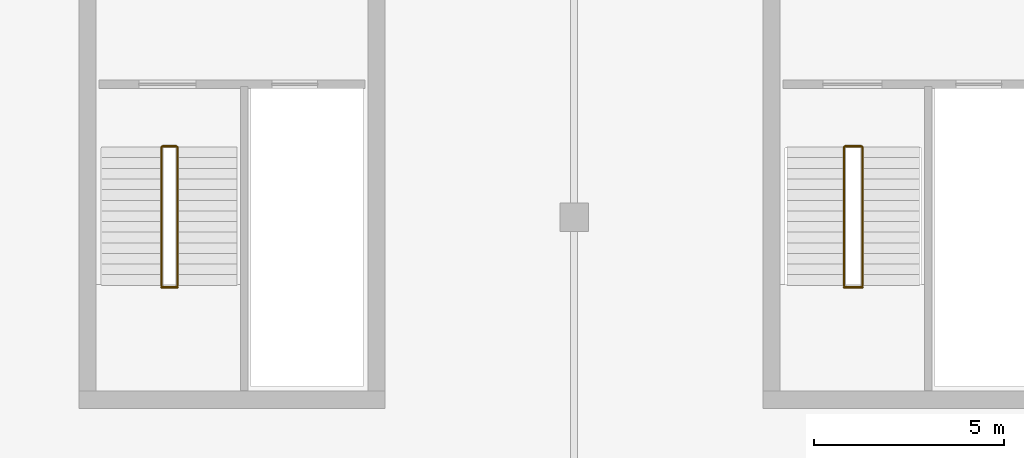
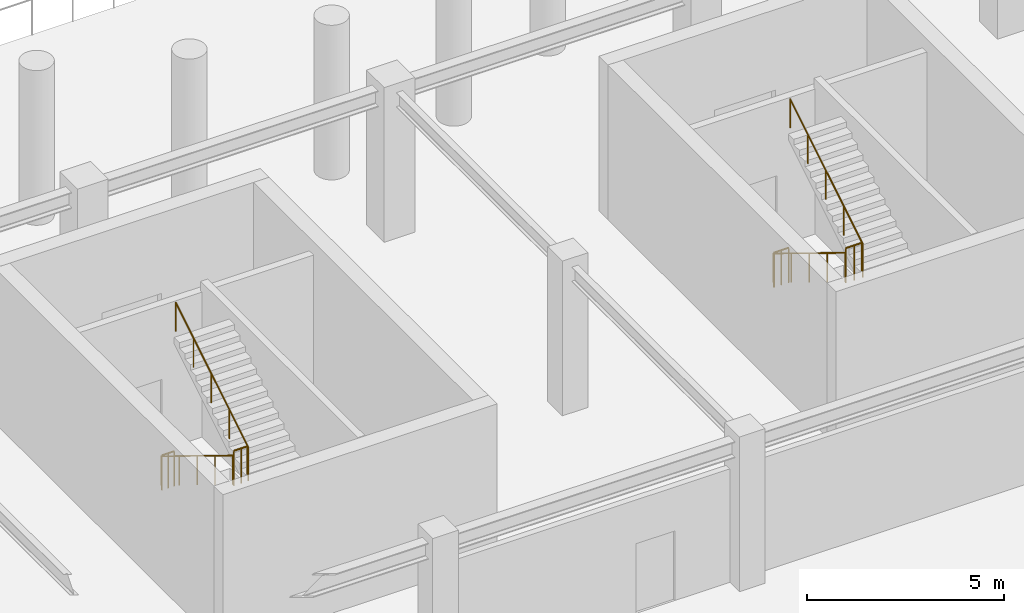
# One storey, part 73 of 89: 8 railings.
"""IFC4 building model written with IfcOpenShell, lengths in metres."""

from ifc_helpers import new_model, si_unit, direction, frame, origin, origin_2d, place, context, subcontext, project, spatial, circle, extrude, material, type_object, element, save


model = new_model("IFC4")

# Units and contexts
model_context = context("Model", 3, precision=1e-05, world=origin(), true_north=direction((0.0, 1.0)))
body_context = subcontext(model_context, "Body", "Model", "MODEL_VIEW")
ifc_project = project(units=[si_unit("LENGTHUNIT", "METRE"), si_unit("AREAUNIT", "SQUARE_METRE"), si_unit("VOLUMEUNIT", "CUBIC_METRE"), si_unit("PLANEANGLEUNIT", "RADIAN"), si_unit("MASSUNIT", "GRAM", prefix="KILO")], contexts=[model_context])

# Site, building, storey
site_placement = place(None, origin())
site = spatial("IfcSite", under=ifc_project, at=site_placement, CompositionType="ELEMENT")
building_placement = place(site_placement, origin())
building = spatial("IfcBuilding", under=site, at=building_placement, Name="Dornveld Trade and Exhibition Forum", CompositionType="ELEMENT")
storey_placement = place(building_placement, frame((0.0, 0.0, 12.0)))
storey = spatial("IfcBuildingStorey", under=building, at=storey_placement, Name="L02", CompositionType="ELEMENT", Elevation=12.0)

# Railings
ifc_material_1 = material(Name="Brushed stainless steel handrail", Category="steel")
railing_type_1 = type_object("IfcRailingType", Name="RL-HAND-920", PredefinedType="HANDRAIL", material=ifc_material_1)
railing_1_placement = place(storey_placement, frame((106.139892578125, 55.85009765625, 0.17138671875)))
element("IfcRailing", 1, at=railing_1_placement, inside=storey, type_object=railing_type_1, Name="ST-06-L02 flight 1 handrail", PredefinedType="HANDRAIL", context=body_context, shape_type="SweptSolid", body=[
    extrude(circle(Radius=0.02099609375, at=origin_2d()), frame((0.0, 0.0, 0.89892578125), z_axis=(0.0, -0.852865859571, 0.52213008492), x_axis=(1.0, 0.0, 0.0)), (0.0, 0.0, 1.0), 4.26806640625),
    extrude(circle(Radius=0.01806640625, at=origin_2d()), origin(), (0.0, 0.0, 1.0), 0.8779296875),
    extrude(circle(Radius=0.01806640625, at=origin_2d()), frame((0.0, -0.91015625, 0.55712890625)), (0.0, 0.0, 1.0), 0.8779296875),
    extrude(circle(Radius=0.01806640625, at=origin_2d()), frame((0.0, -1.820068359375, 1.1142578125)), (0.0, 0.0, 1.0), 0.8779296875),
    extrude(circle(Radius=0.01806640625, at=origin_2d()), frame((0.0, -2.72998046875, 1.67138671875)), (0.0, 0.0, 1.0), 0.8779296875),
    extrude(circle(Radius=0.01806640625, at=origin_2d()), frame((0.0, -3.64013671875, 2.228515625)), (0.0, 0.0, 1.0), 0.8779296875),
])
railing_2_placement = place(storey_placement, frame((106.56005859375, 52.2099609375, 2.5712890625)))
element("IfcRailing", 2, at=railing_2_placement, inside=storey, type_object=railing_type_1, Name="ST-06-L02 flight 2 handrail", PredefinedType="HANDRAIL", context=body_context, shape_type="SweptSolid", body=[
    extrude(circle(Radius=0.02099609375, at=origin_2d()), frame((0.0, 0.0, 0.89892578125), z_axis=(0.0, 0.852840387347, 0.522171689878), x_axis=(-1.0, 0.0, 0.0)), (0.0, 0.0, 1.0), 4.268310546875),
    extrude(circle(Radius=0.01806640625, at=origin_2d()), origin(), (0.0, 0.0, 1.0), 0.8779296875),
    extrude(circle(Radius=0.01806640625, at=origin_2d()), frame((0.0, 0.91015625, 0.55712890625)), (0.0, 0.0, 1.0), 0.8779296875),
    extrude(circle(Radius=0.01806640625, at=origin_2d()), frame((0.0, 1.820068359375, 1.1142578125)), (0.0, 0.0, 1.0), 0.8779296875),
    extrude(circle(Radius=0.01806640625, at=origin_2d()), frame((0.0, 2.72998046875, 1.671630859375)), (0.0, 0.0, 1.0), 0.8779296875),
    extrude(circle(Radius=0.01806640625, at=origin_2d()), frame((0.0, 3.64013671875, 2.228759765625)), (0.0, 0.0, 1.0), 0.8779296875),
])
railing_3_placement = place(storey_placement, frame((124.10498046875, 55.85009765625, 0.17138671875)))
element("IfcRailing", 3, at=railing_3_placement, inside=storey, type_object=railing_type_1, Name="ST-07-L02 flight 1 handrail", PredefinedType="HANDRAIL", context=body_context, shape_type="SweptSolid", body=[
    extrude(circle(Radius=0.02099609375, at=origin_2d()), frame((0.0, 0.0, 0.89892578125), z_axis=(0.0, -0.852865859571, 0.52213008492), x_axis=(1.0, 0.0, 0.0)), (0.0, 0.0, 1.0), 4.26806640625),
    extrude(circle(Radius=0.01806640625, at=origin_2d()), origin(), (0.0, 0.0, 1.0), 0.8779296875),
    extrude(circle(Radius=0.01806640625, at=origin_2d()), frame((0.0, -0.91015625, 0.55712890625)), (0.0, 0.0, 1.0), 0.8779296875),
    extrude(circle(Radius=0.01806640625, at=origin_2d()), frame((0.0, -1.820068359375, 1.1142578125)), (0.0, 0.0, 1.0), 0.8779296875),
    extrude(circle(Radius=0.01806640625, at=origin_2d()), frame((0.0, -2.72998046875, 1.67138671875)), (0.0, 0.0, 1.0), 0.8779296875),
    extrude(circle(Radius=0.01806640625, at=origin_2d()), frame((0.0, -3.64013671875, 2.228515625)), (0.0, 0.0, 1.0), 0.8779296875),
])
railing_4_placement = place(storey_placement, frame((124.594970703125, 52.2099609375, 2.5712890625)))
element("IfcRailing", 4, at=railing_4_placement, inside=storey, type_object=railing_type_1, Name="ST-07-L02 flight 2 handrail", PredefinedType="HANDRAIL", context=body_context, shape_type="SweptSolid", body=[
    extrude(circle(Radius=0.02099609375, at=origin_2d()), frame((0.0, 0.0, 0.89892578125), z_axis=(0.0, 0.852840387347, 0.522171689878), x_axis=(-1.0, 0.0, 0.0)), (0.0, 0.0, 1.0), 4.268310546875),
    extrude(circle(Radius=0.01806640625, at=origin_2d()), origin(), (0.0, 0.0, 1.0), 0.8779296875),
    extrude(circle(Radius=0.01806640625, at=origin_2d()), frame((0.0, 0.91015625, 0.55712890625)), (0.0, 0.0, 1.0), 0.8779296875),
    extrude(circle(Radius=0.01806640625, at=origin_2d()), frame((0.0, 1.820068359375, 1.1142578125)), (0.0, 0.0, 1.0), 0.8779296875),
    extrude(circle(Radius=0.01806640625, at=origin_2d()), frame((0.0, 2.72998046875, 1.671630859375)), (0.0, 0.0, 1.0), 0.8779296875),
    extrude(circle(Radius=0.01806640625, at=origin_2d()), frame((0.0, 3.64013671875, 2.228759765625)), (0.0, 0.0, 1.0), 0.8779296875),
])
ifc_material_2 = material(Name="Painted steel S355J2 stair-well guard", Category="steel")
railing_type_2 = type_object("IfcRailingType", Name="RL-WELL-110", PredefinedType="GUARDRAIL", material=ifc_material_2)
railing_5_placement = place(storey_placement, frame((106.139892578125, 52.159912109375, 2.39990234375)))
element("IfcRailing", 5, at=railing_5_placement, inside=storey, type_object=railing_type_2, Name="ST-06-L02 half-landing well guard", PredefinedType="GUARDRAIL", context=body_context, shape_type="SweptSolid", body=[
    extrude(circle(Radius=0.02392578125, at=origin_2d()), frame((0.0, 0.0, 1.076171875), z_axis=(1.0, 0.0, 0.0), x_axis=(0.0, 1.0, 0.0)), (0.0, 0.0, 1.0), 0.420166015625),
    extrude(circle(Radius=0.02001953125, at=origin_2d()), origin(), (0.0, 0.0, 1.0), 1.052001953125),
    extrude(circle(Radius=0.02001953125, at=origin_2d()), frame((0.2099609375, 0.0, 0.0)), (0.0, 0.0, 1.0), 1.052001953125),
    extrude(circle(Radius=0.02001953125, at=origin_2d()), frame((0.420166015625, 0.0, 0.0)), (0.0, 0.0, 1.0), 1.052001953125),
])
railing_6_placement = place(storey_placement, frame((106.169921875, 55.8701171875, 0.0)))
element("IfcRailing", 6, at=railing_6_placement, inside=storey, type_object=railing_type_2, Name="CORE-06 L02 stair-slot floor guard", PredefinedType="GUARDRAIL", context=body_context, shape_type="SweptSolid", body=[
    extrude(circle(Radius=0.02392578125, at=origin_2d()), frame((0.0, 0.0, 1.076171875), z_axis=(1.0, 0.0, 0.0), x_axis=(0.0, 1.0, 0.0)), (0.0, 0.0, 1.0), 0.360107421875),
    extrude(circle(Radius=0.02001953125, at=origin_2d()), origin(), (0.0, 0.0, 1.0), 1.052001953125),
    extrude(circle(Radius=0.02001953125, at=origin_2d()), frame((0.18017578125, 0.0, 0.0)), (0.0, 0.0, 1.0), 1.052001953125),
    extrude(circle(Radius=0.02001953125, at=origin_2d()), frame((0.360107421875, 0.0, 0.0)), (0.0, 0.0, 1.0), 1.052001953125),
])
railing_7_placement = place(storey_placement, frame((124.10498046875, 52.159912109375, 2.39990234375)))
element("IfcRailing", 7, at=railing_7_placement, inside=storey, type_object=railing_type_2, Name="ST-07-L02 half-landing well guard", PredefinedType="GUARDRAIL", context=body_context, shape_type="SweptSolid", body=[
    extrude(circle(Radius=0.02392578125, at=origin_2d()), frame((0.0, 0.0, 1.076171875), z_axis=(1.0, 0.0, 0.0), x_axis=(0.0, 1.0, 0.0)), (0.0, 0.0, 1.0), 0.489990234375),
    extrude(circle(Radius=0.02001953125, at=origin_2d()), origin(), (0.0, 0.0, 1.0), 1.052001953125),
    extrude(circle(Radius=0.02001953125, at=origin_2d()), frame((0.2451171875, 0.0, 0.0)), (0.0, 0.0, 1.0), 1.052001953125),
    extrude(circle(Radius=0.02001953125, at=origin_2d()), frame((0.489990234375, 0.0, 0.0)), (0.0, 0.0, 1.0), 1.052001953125),
])
railing_8_placement = place(storey_placement, frame((124.135009765625, 55.8701171875, 0.0)))
element("IfcRailing", 8, at=railing_8_placement, inside=storey, type_object=railing_type_2, Name="CORE-07 L02 stair-slot floor guard", PredefinedType="GUARDRAIL", context=body_context, shape_type="SweptSolid", body=[
    extrude(circle(Radius=0.02392578125, at=origin_2d()), frame((0.0, 0.0, 1.076171875), z_axis=(1.0, 0.0, 0.0), x_axis=(0.0, 1.0, 0.0)), (0.0, 0.0, 1.0), 0.429931640625),
    extrude(circle(Radius=0.02001953125, at=origin_2d()), origin(), (0.0, 0.0, 1.0), 1.052001953125),
    extrude(circle(Radius=0.02001953125, at=origin_2d()), frame((0.21484375, 0.0, 0.0)), (0.0, 0.0, 1.0), 1.052001953125),
    extrude(circle(Radius=0.02001953125, at=origin_2d()), frame((0.429931640625, 0.0, 0.0)), (0.0, 0.0, 1.0), 1.052001953125),
])

save(model, "model.ifc")
